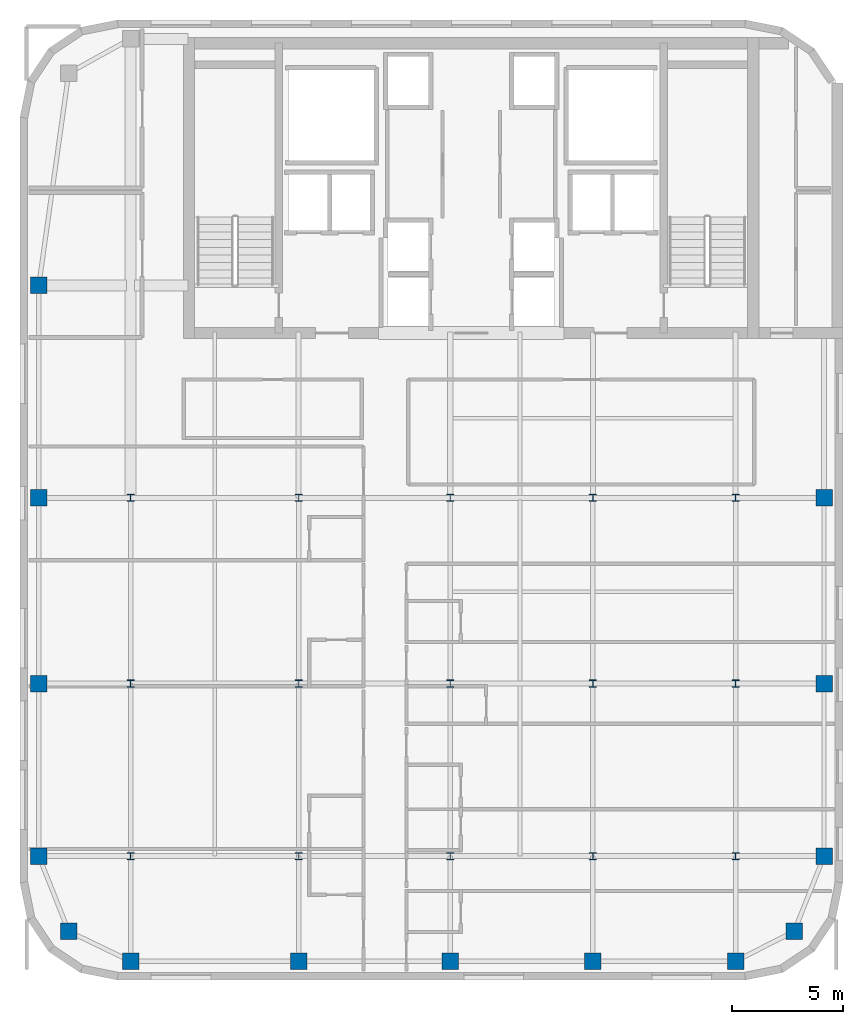
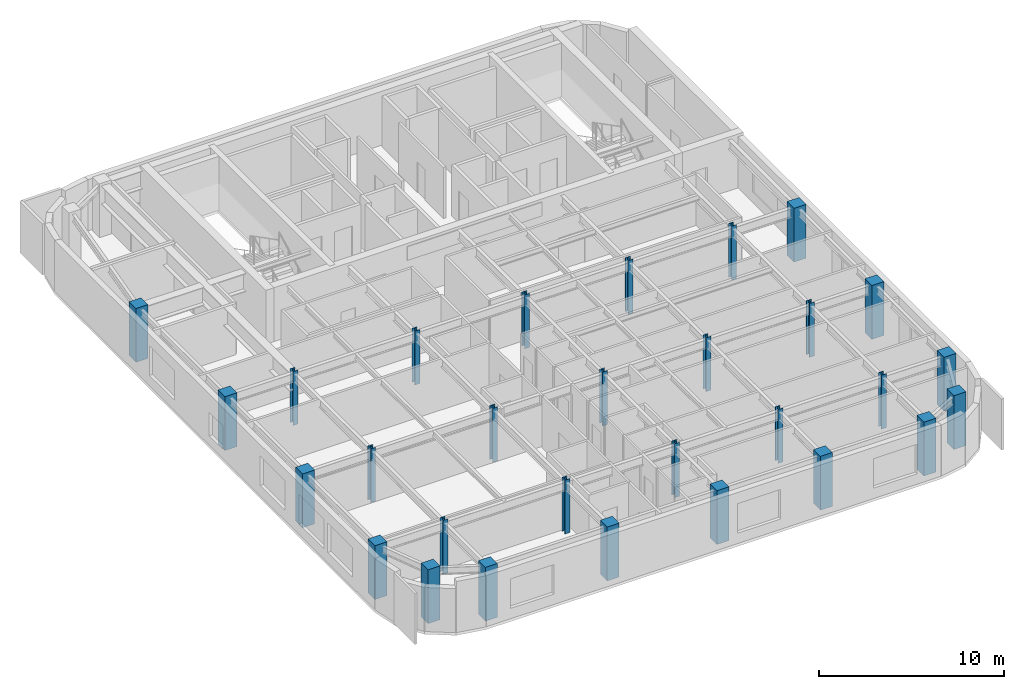
# One storey, part 1 of 9: 29 columns.
"""IFC4 building model written with IfcOpenShell, lengths in metres."""

from ifc_helpers import new_model, si_unit, direction, frame, origin, origin_2d, place, context, subcontext, project, spatial, rectangle, i_section, extrude, source, transform, mapped, material, material_profile, profile_set, type_object, type_shapes, element, save


model = new_model("IFC4")

# Units and contexts
model_context = context("Model", 3, precision=1e-05, world=origin(), true_north=direction((0.0, 1.0)))
body_context = subcontext(model_context, "Body", "Model", "MODEL_VIEW")
ifc_project = project(units=[si_unit("LENGTHUNIT", "METRE"), si_unit("AREAUNIT", "SQUARE_METRE"), si_unit("VOLUMEUNIT", "CUBIC_METRE"), si_unit("PLANEANGLEUNIT", "RADIAN"), si_unit("MASSUNIT", "GRAM", prefix="KILO")], contexts=[model_context])

# Site, building, storey
site_placement = place(None, origin())
site = spatial("IfcSite", under=ifc_project, at=site_placement, CompositionType="ELEMENT")
building_placement = place(site_placement, origin())
building = spatial("IfcBuilding", under=site, at=building_placement, Name="Tolvann Quenvar Hotel", CompositionType="ELEMENT")
storey_placement = place(building_placement, frame((0.0, 0.0, 216.800048828125)))
storey = spatial("IfcBuildingStorey", under=building, at=storey_placement, Name="L57", CompositionType="ELEMENT", Elevation=216.800048828125)

# Columns
ifc_material_1 = material(Name="Concrete N50 (50 MPa)", Category="concrete")
ifc_material_profile_1 = material_profile(ifc_material_1, rectangle(XDim=0.75, YDim=0.75, at=origin_2d()), Name="RC750x750")
ifc_profile_set_1 = profile_set([ifc_material_profile_1], Name="Concrete N50 (50 MPa)")
column_type_1 = type_object("IfcColumnType", Name="COL_RC750", PredefinedType="COLUMN", material=ifc_profile_set_1)
shared_shape_1 = source(origin(), body_context, "Body", "SweptSolid", [
    extrude(rectangle(XDim=0.75, YDim=0.75, at=origin_2d()), origin(), (0.0, 0.0, 1.0), 3.550048828125),
])
type_shapes(column_type_1, [shared_shape_1])
for number, where, z_axis, x_axis, name in (
    (1, (4.800048828125, 4.800048828125, 0.0), (0.0, 0.0, 1.0), (1.0, 0.0, 0.0), "Column B2 (L57)"),
    (2, (3.449951171875, 8.199951171875, 0.0), (0.0, 0.0, 1.0), (1.0, 0.0, 0.0), "Column B3 (L57)"),
    (3, (3.449951171875, 16.0, 0.0), (0.0, 0.0, 1.0), (1.0, 0.0, 0.0), "Column B4 (L57)"),
    (4, (3.449951171875, 24.39990234375, 0.0), (0.0, 0.0, 1.0), (1.0, 0.0, 0.0), "Column B5 (L57)"),
    (5, (7.60009765625, 3.449951171875, 0.0), (0.0, 0.0, 1.0), (1.0, 0.0, 0.0), "Column C2 (L57)"),
    (6, (15.199951171875, 3.449951171875, 0.0), (0.0, 0.0, 1.0), (1.0, 0.0, 0.0), "Column D2 (L57)"),
    (7, (22.050048828125, 3.449951171875, 0.0), (0.0, 0.0, 1.0), (1.0, 0.0, 0.0), "Column E2 (L57)"),
    (8, (28.5, 3.449951171875, 0.0), (0.0, 0.0, 1.0), (1.0, 0.0, 0.0), "Column M2 (L57)"),
    (9, (34.949951171875, 3.449951171875, 0.0), (0.0, 0.0, 1.0), (1.0, 0.0, 0.0), "Column F2 (L57)"),
    (10, (37.60009765625, 4.800048828125, 0.0), (0.0, 0.0, 1.0), (1.0, 0.0, 0.0), "Column G2 (L57)"),
    (11, (38.949951171875, 8.199951171875, 0.0), (0.0, 0.0, 1.0), (1.0, 0.0, 0.0), "Column G3 (L57)"),
    (12, (38.949951171875, 16.0, 0.0), (0.0, 0.0, 1.0), (1.0, 0.0, 0.0), "Column G4 (L57)"),
    (13, (38.949951171875, 24.39990234375, 0.0), (0.0, 0.0, 1.0), (1.0, 0.0, 0.0), "Column G5 (L57)"),
    (14, (3.449951171875, 34.0, 0.0), (0.0, 0.0, 1.0), (1.0, 0.0, 0.0), "Column BD6 (L57)"),
):
    element("IfcColumn", number, at=place(storey_placement, frame(where, z_axis=z_axis, x_axis=x_axis)), inside=storey, type_object=column_type_1, Name=name, PredefinedType="COLUMN", context=body_context, shape_type="MappedRepresentation", body=[
        mapped(shared_shape_1, transform((0.0, 0.0, 0.0), x_axis=(1.0, 0.0, 0.0), y_axis=(0.0, 1.0, 0.0), z_axis=(0.0, 0.0, 1.0), scale=1.0)),
    ])
ifc_material_2 = material(Name="Steel Grade 350", Category="steel")
ifc_material_profile_2 = material_profile(ifc_material_2, i_section(OverallWidth=0.31103515625, OverallDepth=0.326904296875, WebThickness=0.015625, FlangeThickness=0.02490234375, FilletRadius=0.0166015625, at=origin_2d()), Name="310UC158")
ifc_profile_set_2 = profile_set([ifc_material_profile_2], Name="Steel Grade 350")
column_type_2 = type_object("IfcColumnType", Name="COL_310UC158", PredefinedType="COLUMN", material=ifc_profile_set_2)
shared_shape_2 = source(origin(), body_context, "Body", "SweptSolid", [
    extrude(i_section(OverallWidth=0.31103515625, OverallDepth=0.326904296875, WebThickness=0.015625, FlangeThickness=0.02490234375, FilletRadius=0.0166015625, at=origin_2d()), origin(), (0.0, 0.0, 1.0), 3.550048828125),
])
type_shapes(column_type_2, [shared_shape_2])
for number, where, z_axis, x_axis, name in (
    (15, (7.60009765625, 8.199951171875, 0.0), (0.0, 0.0, 1.0), (1.0, 0.0, 0.0), "Column C3 (L57)"),
    (16, (7.60009765625, 16.0, 0.0), (0.0, 0.0, 1.0), (1.0, 0.0, 0.0), "Column C4 (L57)"),
    (17, (7.60009765625, 24.39990234375, 0.0), (0.0, 0.0, 1.0), (1.0, 0.0, 0.0), "Column C5 (L57)"),
    (18, (15.199951171875, 8.199951171875, 0.0), (0.0, 0.0, 1.0), (1.0, 0.0, 0.0), "Column D3 (L57)"),
    (19, (15.199951171875, 16.0, 0.0), (0.0, 0.0, 1.0), (1.0, 0.0, 0.0), "Column D4 (L57)"),
    (20, (15.199951171875, 24.39990234375, 0.0), (0.0, 0.0, 1.0), (1.0, 0.0, 0.0), "Column D5 (L57)"),
    (21, (22.050048828125, 8.199951171875, 0.0), (0.0, 0.0, 1.0), (1.0, 0.0, 0.0), "Column E3 (L57)"),
    (22, (22.050048828125, 16.0, 0.0), (0.0, 0.0, 1.0), (1.0, 0.0, 0.0), "Column E4 (L57)"),
    (23, (22.050048828125, 24.39990234375, 0.0), (0.0, 0.0, 1.0), (1.0, 0.0, 0.0), "Column E5 (L57)"),
    (24, (28.5, 8.199951171875, 0.0), (0.0, 0.0, 1.0), (1.0, 0.0, 0.0), "Column M3 (L57)"),
    (25, (28.5, 16.0, 0.0), (0.0, 0.0, 1.0), (1.0, 0.0, 0.0), "Column M4 (L57)"),
    (26, (28.5, 24.39990234375, 0.0), (0.0, 0.0, 1.0), (1.0, 0.0, 0.0), "Column M5 (L57)"),
    (27, (34.949951171875, 8.199951171875, 0.0), (0.0, 0.0, 1.0), (1.0, 0.0, 0.0), "Column F3 (L57)"),
    (28, (34.949951171875, 16.0, 0.0), (0.0, 0.0, 1.0), (1.0, 0.0, 0.0), "Column F4 (L57)"),
    (29, (34.949951171875, 24.39990234375, 0.0), (0.0, 0.0, 1.0), (1.0, 0.0, 0.0), "Column F5 (L57)"),
):
    element("IfcColumn", number, at=place(storey_placement, frame(where, z_axis=z_axis, x_axis=x_axis)), inside=storey, type_object=column_type_2, Name=name, PredefinedType="COLUMN", context=body_context, shape_type="MappedRepresentation", body=[
        mapped(shared_shape_2, transform((0.0, 0.0, 0.0), x_axis=(1.0, 0.0, 0.0), y_axis=(0.0, 1.0, 0.0), z_axis=(0.0, 0.0, 1.0), scale=1.0)),
    ])

save(model, "model.ifc")
